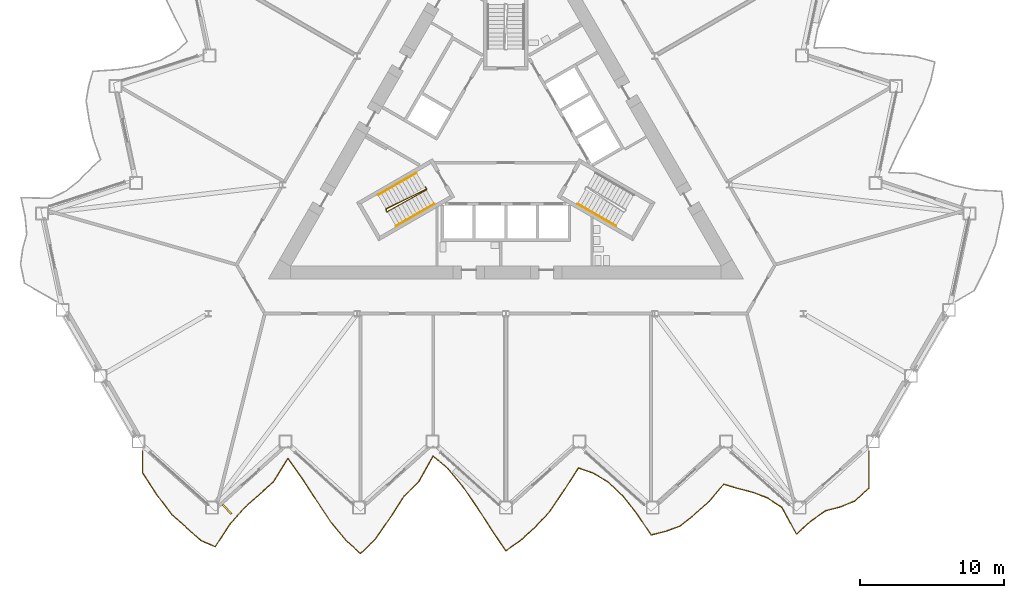
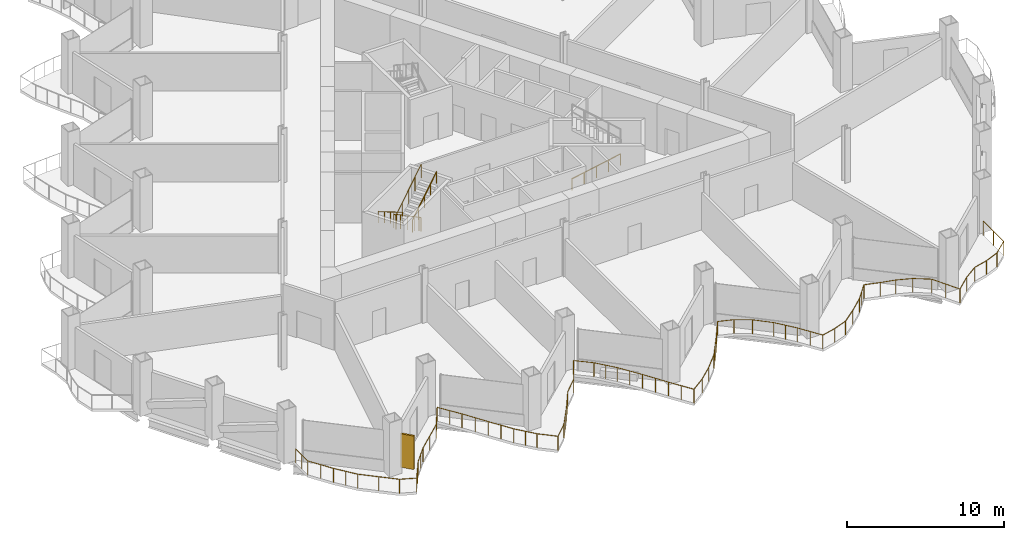
# One storey, part 17 of 21: 5 railings, 1 shading device.
"""IFC4 building model written with IfcOpenShell, lengths in metres."""

from ifc_helpers import new_model, si_unit, direction, frame, origin, origin_2d, place, context, subcontext, project, spatial, rectangle, circle, extrude, material, layer, layer_set, type_object, element, save


model = new_model("IFC4")

# Units and contexts
model_context = context("Model", 3, precision=1e-05, world=origin(), true_north=direction((0.0, 1.0)))
body_context = subcontext(model_context, "Body", "Model", "MODEL_VIEW")
ifc_project = project(units=[si_unit("LENGTHUNIT", "METRE"), si_unit("AREAUNIT", "SQUARE_METRE"), si_unit("VOLUMEUNIT", "CUBIC_METRE"), si_unit("PLANEANGLEUNIT", "RADIAN"), si_unit("MASSUNIT", "GRAM", prefix="KILO")], contexts=[model_context])

# Site, building, storey
site_placement = place(None, origin())
site = spatial("IfcSite", under=ifc_project, at=site_placement, CompositionType="ELEMENT")
building_placement = place(site_placement, origin())
building = spatial("IfcBuilding", under=site, at=building_placement, Name="Cormorant Prow Tower", CompositionType="ELEMENT")
storey_placement = place(building_placement, frame((0.0, 0.0, 129.0)))
storey = spatial("IfcBuildingStorey", under=building, at=storey_placement, Name="L27", CompositionType="ELEMENT", Elevation=129.0)

# Railings
ifc_material_1 = material(Name="Aluminium 6063-T6", Category="aluminium")
railing_type_1 = type_object("IfcRailingType", Name="Balcony guard 1100", PredefinedType="GUARDRAIL", material=ifc_material_1)
railing_1_placement = place(storey_placement, frame((-25.217041015625, -21.475830078125, 0.0)))
element("IfcRailing", 1, at=railing_1_placement, inside=storey, type_object=railing_type_1, Name="Balcony guard S", PredefinedType="GUARDRAIL", context=body_context, shape_type="SweptSolid", body=[
    extrude(circle(Radius=0.02392578125, at=origin_2d()), frame((0.0, 0.0, 1.076171875), z_axis=(0.0, -1.0, 0.0), x_axis=(1.0, 0.0, 0.0)), (0.0, 0.0, 1.0), 1.52001953125),
    extrude(circle(Radius=0.02392578125, at=origin_2d()), frame((0.0, -1.52001953125, 1.076171875), z_axis=(0.547099523328, -0.837067566911, 0.0), x_axis=(0.837067566911, 0.547099523328, 0.0)), (0.0, 0.0, 1.0), 1.843994140625),
    extrude(circle(Radius=0.02392578125, at=origin_2d()), frame((1.0087890625, -3.0634765625, 1.076171875), z_axis=(0.606251011859, -0.79527335591, 0.0), x_axis=(0.79527335591, 0.606251011859, 0.0)), (0.0, 0.0, 1.0), 1.66357421875),
    extrude(circle(Radius=0.02392578125, at=origin_2d()), frame((2.017333984375, -4.386474609375, 1.076171875), z_axis=(0.743186816138, -0.669083968063, 0.0), x_axis=(0.669083968063, 0.743186816138, 0.0)), (0.0, 0.0, 1.0), 1.357421875),
    extrude(circle(Radius=0.02392578125, at=origin_2d()), frame((3.026123046875, -5.294677734375, 1.076171875), z_axis=(0.743186816138, -0.669083968063, 0.0), x_axis=(0.669083968063, 0.743186816138, 0.0)), (0.0, 0.0, 1.0), 1.357421875),
    extrude(circle(Radius=0.02392578125, at=origin_2d()), frame((4.034912109375, -6.202880859375, 1.076171875), z_axis=(0.919340604259, -0.393462645444, 0.0), x_axis=(0.393462645444, 0.919340604259, 0.0)), (0.0, 0.0, 1.0), 1.096923828125),
    extrude(circle(Radius=0.02392578125, at=origin_2d()), frame((5.04345703125, -6.634521484375, 1.076171875), z_axis=(0.544923452511, 0.838485796483, 0.0), x_axis=(-0.838485796483, 0.544923452511, 0.0)), (0.0, 0.0, 1.0), 1.851318359375),
    extrude(circle(Radius=0.02392578125, at=origin_2d()), frame((6.05224609375, -5.082275390625, 1.076171875), z_axis=(0.663436281366, 0.748232785012, 0.0), x_axis=(-0.748232785012, 0.663436281366, 0.0)), (0.0, 0.0, 1.0), 1.520263671875),
    extrude(circle(Radius=0.02392578125, at=origin_2d()), frame((7.060791015625, -3.94482421875, 1.076171875), z_axis=(0.743186816138, 0.669083968063, 0.0), x_axis=(-0.669083968063, 0.743186816138, 0.0)), (0.0, 0.0, 1.0), 1.357421875),
    extrude(circle(Radius=0.02392578125, at=origin_2d()), frame((8.069580078125, -3.03662109375, 1.076171875), z_axis=(0.743106280888, 0.669173411983, 0.0), x_axis=(-0.669173411983, 0.743106280888, 0.0)), (0.0, 0.0, 1.0), 1.357177734375),
    extrude(circle(Radius=0.02392578125, at=origin_2d()), frame((9.078125, -2.12841796875, 1.076171875), z_axis=(0.526912034983, 0.849919824095, 0.0), x_axis=(-0.849919824095, 0.526912034983, 0.0)), (0.0, 0.0, 1.0), 1.91455078125),
    extrude(circle(Radius=0.02392578125, at=origin_2d()), frame((10.0869140625, -0.501220703125, 1.076171875), z_axis=(0.579803401982, -0.81475641455, 0.0), x_axis=(0.81475641455, 0.579803401982, 0.0)), (0.0, 0.0, 1.0), 1.739501953125),
    extrude(circle(Radius=0.02392578125, at=origin_2d()), frame((11.095458984375, -1.91845703125, 1.076171875), z_axis=(0.543240375594, -0.839577211651, 0.0), x_axis=(0.839577211651, 0.543240375594, 0.0)), (0.0, 0.0, 1.0), 1.85693359375),
    extrude(circle(Radius=0.02392578125, at=origin_2d()), frame((12.104248046875, -3.4775390625, 1.076171875), z_axis=(0.553031216413, -0.833160532955, 0.0), x_axis=(0.833160532955, 0.553031216413, 0.0)), (0.0, 0.0, 1.0), 1.82421875),
    extrude(circle(Radius=0.02392578125, at=origin_2d()), frame((13.113037109375, -4.997314453125, 1.076171875), z_axis=(0.64164991368, -0.766997645547, 0.0), x_axis=(0.766997645547, 0.64164991368, 0.0)), (0.0, 0.0, 1.0), 1.57177734375),
    extrude(circle(Radius=0.02392578125, at=origin_2d()), frame((14.12158203125, -6.202880859375, 1.076171875), z_axis=(0.743106280888, -0.669173411983, 0.0), x_axis=(0.669173411983, 0.743106280888, 0.0)), (0.0, 0.0, 1.0), 1.357177734375),
    extrude(circle(Radius=0.02392578125, at=origin_2d()), frame((15.130126953125, -7.111083984375, 1.076171875), z_axis=(0.716667354688, 0.697415158083, 0.0), x_axis=(-0.697415158083, 0.716667354688, 0.0)), (0.0, 0.0, 1.0), 1.40771484375),
    extrude(circle(Radius=0.02392578125, at=origin_2d()), frame((16.138916015625, -6.12939453125, 1.076171875), z_axis=(0.573713918438, 0.8190557611, 0.0), x_axis=(-0.8190557611, 0.573713918438, 0.0)), (0.0, 0.0, 1.0), 1.75830078125),
    extrude(circle(Radius=0.02392578125, at=origin_2d()), frame((17.147705078125, -4.689208984375, 1.076171875), z_axis=(0.542070080475, 0.840333283795, 0.0), x_axis=(-0.840333283795, 0.542070080475, 0.0)), (0.0, 0.0, 1.0), 1.860595703125),
    extrude(circle(Radius=0.02392578125, at=origin_2d()), frame((18.15625, -3.125732421875, 1.076171875), z_axis=(0.7111396923, 0.703050736459, 0.0), x_axis=(-0.703050736459, 0.7111396923, 0.0)), (0.0, 0.0, 1.0), 1.41845703125),
    extrude(circle(Radius=0.02392578125, at=origin_2d()), frame((19.1650390625, -2.12841796875, 1.076171875), z_axis=(0.491124609661, 0.871089328247, 0.0), x_axis=(-0.871089328247, 0.491124609661, 0.0)), (0.0, 0.0, 1.0), 2.053466796875),
    extrude(circle(Radius=0.02392578125, at=origin_2d()), frame((20.173583984375, -0.339599609375, 1.076171875), z_axis=(0.759866377248, -0.650079294185, 0.0), x_axis=(0.650079294185, 0.759866377248, 0.0)), (0.0, 0.0, 1.0), 1.32763671875),
    extrude(circle(Radius=0.02392578125, at=origin_2d()), frame((21.182373046875, -1.20263671875, 1.076171875), z_axis=(0.642506249311, -0.766280444483, 0.0), x_axis=(0.766280444483, 0.642506249311, 0.0)), (0.0, 0.0, 1.0), 1.570068359375),
    extrude(circle(Radius=0.02392578125, at=origin_2d()), frame((22.191162109375, -2.40576171875, 1.076171875), z_axis=(0.568051035315, -0.822993330032, 0.0), x_axis=(0.822993330032, 0.568051035315, 0.0)), (0.0, 0.0, 1.0), 1.775390625),
    extrude(circle(Radius=0.02392578125, at=origin_2d()), frame((23.19970703125, -3.866943359375, 1.076171875), z_axis=(0.54141320539, -0.840756647925, 0.0), x_axis=(0.840756647925, 0.54141320539, 0.0)), (0.0, 0.0, 1.0), 1.86279296875),
    extrude(circle(Radius=0.02392578125, at=origin_2d()), frame((24.208251953125, -5.43310546875, 1.076171875), z_axis=(0.561076309813, -0.827764081467, 0.0), x_axis=(0.827764081467, 0.561076309813, 0.0)), (0.0, 0.0, 1.0), 1.7978515625),
    extrude(circle(Radius=0.02392578125, at=origin_2d()), frame((25.217041015625, -6.92138671875, 1.076171875), z_axis=(0.814518561771, 0.580137494505, 0.0), x_axis=(-0.580137494505, 0.814518561771, 0.0)), (0.0, 0.0, 1.0), 1.238525390625),
    extrude(circle(Radius=0.02392578125, at=origin_2d()), frame((26.225830078125, -6.202880859375, 1.076171875), z_axis=(0.743106280888, 0.669173411983, 0.0), x_axis=(-0.669173411983, 0.743106280888, 0.0)), (0.0, 0.0, 1.0), 1.357177734375),
    extrude(circle(Radius=0.02392578125, at=origin_2d()), frame((27.234375, -5.294677734375, 1.076171875), z_axis=(0.683891565229, 0.729583666901, 0.0), x_axis=(-0.729583666901, 0.683891565229, 0.0)), (0.0, 0.0, 1.0), 1.474609375),
    extrude(circle(Radius=0.02392578125, at=origin_2d()), frame((28.242919921875, -4.21875, 1.076171875), z_axis=(0.563099997149, 0.826388766387, 0.0), x_axis=(-0.826388766387, 0.563099997149, 0.0)), (0.0, 0.0, 1.0), 1.79150390625),
    extrude(circle(Radius=0.02392578125, at=origin_2d()), frame((29.251708984375, -2.73828125, 1.076171875), z_axis=(0.54138653911, 0.84077381933, 0.0), x_axis=(-0.84077381933, 0.54138653911, 0.0)), (0.0, 0.0, 1.0), 1.86328125),
    extrude(circle(Radius=0.02392578125, at=origin_2d()), frame((30.260498046875, -1.171630859375, 1.076171875), z_axis=(0.945688798562, -0.325073370602, 0.0), x_axis=(0.325073370602, 0.945688798562, 0.0)), (0.0, 0.0, 1.0), 1.06640625),
    extrude(circle(Radius=0.02392578125, at=origin_2d()), frame((31.26904296875, -1.518310546875, 1.076171875), z_axis=(0.859889000311, -0.510481054638, 0.0), x_axis=(0.510481054638, 0.859889000311, 0.0)), (0.0, 0.0, 1.0), 1.173095703125),
    extrude(circle(Radius=0.02392578125, at=origin_2d()), frame((32.27783203125, -2.1171875, 1.076171875), z_axis=(0.732433442303, -0.680838639177, 0.0), x_axis=(0.680838639177, 0.732433442303, 0.0)), (0.0, 0.0, 1.0), 1.376953125),
    extrude(circle(Radius=0.02392578125, at=origin_2d()), frame((33.286376953125, -3.0546875, 1.076171875), z_axis=(0.622708149945, -0.782454190347, 0.0), x_axis=(0.782454190347, 0.622708149945, 0.0)), (0.0, 0.0, 1.0), 1.6201171875),
    extrude(circle(Radius=0.02392578125, at=origin_2d()), frame((34.295166015625, -4.322265625, 1.076171875), z_axis=(0.558625055194, -0.829420308233, 0.0), x_axis=(0.829420308233, 0.558625055194, 0.0)), (0.0, 0.0, 1.0), 1.805908203125),
    extrude(circle(Radius=0.02392578125, at=origin_2d()), frame((35.303955078125, -5.820068359375, 1.076171875), z_axis=(0.970294291632, 0.241927649572, 0.0), x_axis=(-0.241927649572, 0.970294291632, 0.0)), (0.0, 0.0, 1.0), 1.039306640625),
    extrude(circle(Radius=0.02392578125, at=origin_2d()), frame((36.3125, -5.568603515625, 1.076171875), z_axis=(0.93973363247, 0.341907443622, 0.0), x_axis=(-0.341907443622, 0.93973363247, 0.0)), (0.0, 0.0, 1.0), 1.0732421875),
    extrude(circle(Radius=0.02392578125, at=origin_2d()), frame((37.321044921875, -5.20166015625, 1.076171875), z_axis=(0.777792524199, 0.628521112851, 0.0), x_axis=(-0.628521112851, 0.777792524199, 0.0)), (0.0, 0.0, 1.0), 1.296875),
    extrude(circle(Radius=0.02392578125, at=origin_2d()), frame((38.329833984375, -4.386474609375, 1.076171875), z_axis=(0.743186816138, 0.669083968063, 0.0), x_axis=(-0.669083968063, 0.743186816138, 0.0)), (0.0, 0.0, 1.0), 1.357421875),
    extrude(circle(Radius=0.02392578125, at=origin_2d()), frame((39.338623046875, -3.478271484375, 1.076171875), z_axis=(0.649275684785, 0.760553144196, 0.0), x_axis=(-0.760553144196, 0.649275684785, 0.0)), (0.0, 0.0, 1.0), 1.55322265625),
    extrude(circle(Radius=0.02392578125, at=origin_2d()), frame((40.34716796875, -2.296875, 1.076171875), z_axis=(0.957736927182, -0.287645577598, 0.0), x_axis=(0.287645577598, 0.957736927182, 0.0)), (0.0, 0.0, 1.0), 1.05322265625),
    extrude(circle(Radius=0.02392578125, at=origin_2d()), frame((41.35595703125, -2.599853515625, 1.076171875), z_axis=(0.969462296979, -0.245240401923, 0.0), x_axis=(0.245240401923, 0.969462296979, 0.0)), (0.0, 0.0, 1.0), 1.040283203125),
    extrude(circle(Radius=0.02392578125, at=origin_2d()), frame((42.364501953125, -2.85498046875, 1.076171875), z_axis=(0.93306013523, -0.359720424836, 0.0), x_axis=(0.359720424836, 0.93306013523, 0.0)), (0.0, 0.0, 1.0), 1.0810546875),
    extrude(circle(Radius=0.02392578125, at=origin_2d()), frame((43.373291015625, -3.243896484375, 1.076171875), z_axis=(0.834280579949, -0.551340107301, 0.0), x_axis=(0.551340107301, 0.834280579949, 0.0)), (0.0, 0.0, 1.0), 1.208984375),
    extrude(circle(Radius=0.02392578125, at=origin_2d()), frame((44.3818359375, -3.910400390625, 1.076171875), z_axis=(0.478576200022, -0.87804602429, 0.0), x_axis=(0.87804602429, 0.478576200022, 0.0)), (0.0, 0.0, 1.0), 2.10791015625),
    extrude(circle(Radius=0.02392578125, at=origin_2d()), frame((45.390625, -5.76123046875, 1.076171875), z_axis=(0.743106280888, 0.669173411983, 0.0), x_axis=(-0.669173411983, 0.743106280888, 0.0)), (0.0, 0.0, 1.0), 1.357177734375),
    extrude(circle(Radius=0.02392578125, at=origin_2d()), frame((46.399169921875, -4.85302734375, 1.076171875), z_axis=(0.817965118336, 0.575267820398, 0.0), x_axis=(-0.575267820398, 0.817965118336, 0.0)), (0.0, 0.0, 1.0), 1.2333984375),
    extrude(circle(Radius=0.02392578125, at=origin_2d()), frame((47.407958984375, -4.1435546875, 1.076171875), z_axis=(0.968125364751, 0.250466121713, 0.0), x_axis=(-0.250466121713, 0.968125364751, 0.0)), (0.0, 0.0, 1.0), 1.0419921875),
    extrude(circle(Radius=0.02392578125, at=origin_2d()), frame((48.416748046875, -3.882568359375, 1.076171875), z_axis=(0.925543387254, 0.378641569707, 0.0), x_axis=(-0.378641569707, 0.925543387254, 0.0)), (0.0, 0.0, 1.0), 1.089599609375),
    extrude(circle(Radius=0.02392578125, at=origin_2d()), frame((49.42529296875, -3.469970703125, 1.076171875), z_axis=(0.746232390688, 0.665685525672, 0.0), x_axis=(-0.665685525672, 0.746232390688, 0.0)), (0.0, 0.0, 1.0), 1.351806640625),
    extrude(circle(Radius=0.02392578125, at=origin_2d()), frame((50.43408203125, -2.570068359375, 1.076171875), z_axis=(0.0, 1.0, 0.0), x_axis=(-1.0, 0.0, 0.0)), (0.0, 0.0, 1.0), 2.570068359375),
    extrude(circle(Radius=0.02099609375, at=origin_2d()), origin(), (0.0, 0.0, 1.0), 1.052001953125),
    extrude(circle(Radius=0.02099609375, at=origin_2d()), frame((0.0, -0.760009765625, 0.0)), (0.0, 0.0, 1.0), 1.052001953125),
    extrude(circle(Radius=0.02099609375, at=origin_2d()), frame((0.0, -1.52001953125, 0.0)), (0.0, 0.0, 1.0), 1.052001953125),
    extrude(circle(Radius=0.02099609375, at=origin_2d()), frame((0.50439453125, -2.291748046875, 0.0)), (0.0, 0.0, 1.0), 1.052001953125),
    extrude(circle(Radius=0.02099609375, at=origin_2d()), frame((1.0087890625, -3.0634765625, 0.0)), (0.0, 0.0, 1.0), 1.052001953125),
    extrude(circle(Radius=0.02099609375, at=origin_2d()), frame((1.51318359375, -3.72509765625, 0.0)), (0.0, 0.0, 1.0), 1.052001953125),
    extrude(circle(Radius=0.02099609375, at=origin_2d()), frame((2.017333984375, -4.386474609375, 0.0)), (0.0, 0.0, 1.0), 1.052001953125),
    extrude(circle(Radius=0.02099609375, at=origin_2d()), frame((3.026123046875, -5.294677734375, 0.0)), (0.0, 0.0, 1.0), 1.052001953125),
    extrude(circle(Radius=0.02099609375, at=origin_2d()), frame((4.034912109375, -6.202880859375, 0.0)), (0.0, 0.0, 1.0), 1.052001953125),
    extrude(circle(Radius=0.02099609375, at=origin_2d()), frame((5.04345703125, -6.634521484375, 0.0)), (0.0, 0.0, 1.0), 1.052001953125),
    extrude(circle(Radius=0.02099609375, at=origin_2d()), frame((5.5478515625, -5.8583984375, 0.0)), (0.0, 0.0, 1.0), 1.052001953125),
    extrude(circle(Radius=0.02099609375, at=origin_2d()), frame((6.05224609375, -5.082275390625, 0.0)), (0.0, 0.0, 1.0), 1.052001953125),
    extrude(circle(Radius=0.02099609375, at=origin_2d()), frame((6.556640625, -4.513671875, 0.0)), (0.0, 0.0, 1.0), 1.052001953125),
    extrude(circle(Radius=0.02099609375, at=origin_2d()), frame((7.060791015625, -3.94482421875, 0.0)), (0.0, 0.0, 1.0), 1.052001953125),
    extrude(circle(Radius=0.02099609375, at=origin_2d()), frame((8.069580078125, -3.03662109375, 0.0)), (0.0, 0.0, 1.0), 1.052001953125),
    extrude(circle(Radius=0.02099609375, at=origin_2d()), frame((9.078125, -2.12841796875, 0.0)), (0.0, 0.0, 1.0), 1.052001953125),
    extrude(circle(Radius=0.02099609375, at=origin_2d()), frame((9.58251953125, -1.31494140625, 0.0)), (0.0, 0.0, 1.0), 1.052001953125),
    extrude(circle(Radius=0.02099609375, at=origin_2d()), frame((10.0869140625, -0.501220703125, 0.0)), (0.0, 0.0, 1.0), 1.052001953125),
    extrude(circle(Radius=0.02099609375, at=origin_2d()), frame((10.59130859375, -1.2099609375, 0.0)), (0.0, 0.0, 1.0), 1.052001953125),
    extrude(circle(Radius=0.02099609375, at=origin_2d()), frame((11.095458984375, -1.91845703125, 0.0)), (0.0, 0.0, 1.0), 1.052001953125),
    extrude(circle(Radius=0.02099609375, at=origin_2d()), frame((11.599853515625, -2.697998046875, 0.0)), (0.0, 0.0, 1.0), 1.052001953125),
    extrude(circle(Radius=0.02099609375, at=origin_2d()), frame((12.104248046875, -3.4775390625, 0.0)), (0.0, 0.0, 1.0), 1.052001953125),
    extrude(circle(Radius=0.02099609375, at=origin_2d()), frame((12.608642578125, -4.2373046875, 0.0)), (0.0, 0.0, 1.0), 1.052001953125),
    extrude(circle(Radius=0.02099609375, at=origin_2d()), frame((13.113037109375, -4.997314453125, 0.0)), (0.0, 0.0, 1.0), 1.052001953125),
    extrude(circle(Radius=0.02099609375, at=origin_2d()), frame((13.6171875, -5.60009765625, 0.0)), (0.0, 0.0, 1.0), 1.052001953125),
    extrude(circle(Radius=0.02099609375, at=origin_2d()), frame((14.12158203125, -6.202880859375, 0.0)), (0.0, 0.0, 1.0), 1.052001953125),
    extrude(circle(Radius=0.02099609375, at=origin_2d()), frame((15.130126953125, -7.111083984375, 0.0)), (0.0, 0.0, 1.0), 1.052001953125),
    extrude(circle(Radius=0.02099609375, at=origin_2d()), frame((16.138916015625, -6.12939453125, 0.0)), (0.0, 0.0, 1.0), 1.052001953125),
    extrude(circle(Radius=0.02099609375, at=origin_2d()), frame((16.643310546875, -5.4091796875, 0.0)), (0.0, 0.0, 1.0), 1.052001953125),
    extrude(circle(Radius=0.02099609375, at=origin_2d()), frame((17.147705078125, -4.689208984375, 0.0)), (0.0, 0.0, 1.0), 1.052001953125),
    extrude(circle(Radius=0.02099609375, at=origin_2d()), frame((17.65185546875, -3.907470703125, 0.0)), (0.0, 0.0, 1.0), 1.052001953125),
    extrude(circle(Radius=0.02099609375, at=origin_2d()), frame((18.15625, -3.125732421875, 0.0)), (0.0, 0.0, 1.0), 1.052001953125),
    extrude(circle(Radius=0.02099609375, at=origin_2d()), frame((19.1650390625, -2.12841796875, 0.0)), (0.0, 0.0, 1.0), 1.052001953125),
    extrude(circle(Radius=0.02099609375, at=origin_2d()), frame((19.66943359375, -1.23388671875, 0.0)), (0.0, 0.0, 1.0), 1.052001953125),
    extrude(circle(Radius=0.02099609375, at=origin_2d()), frame((20.173583984375, -0.339599609375, 0.0)), (0.0, 0.0, 1.0), 1.052001953125),
    extrude(circle(Radius=0.02099609375, at=origin_2d()), frame((21.182373046875, -1.20263671875, 0.0)), (0.0, 0.0, 1.0), 1.052001953125),
    extrude(circle(Radius=0.02099609375, at=origin_2d()), frame((21.686767578125, -1.80419921875, 0.0)), (0.0, 0.0, 1.0), 1.052001953125),
    extrude(circle(Radius=0.02099609375, at=origin_2d()), frame((22.191162109375, -2.40576171875, 0.0)), (0.0, 0.0, 1.0), 1.052001953125),
    extrude(circle(Radius=0.02099609375, at=origin_2d()), frame((22.6953125, -3.13623046875, 0.0)), (0.0, 0.0, 1.0), 1.052001953125),
    extrude(circle(Radius=0.02099609375, at=origin_2d()), frame((23.19970703125, -3.866943359375, 0.0)), (0.0, 0.0, 1.0), 1.052001953125),
    extrude(circle(Radius=0.02099609375, at=origin_2d()), frame((23.7041015625, -4.64990234375, 0.0)), (0.0, 0.0, 1.0), 1.052001953125),
    extrude(circle(Radius=0.02099609375, at=origin_2d()), frame((24.208251953125, -5.43310546875, 0.0)), (0.0, 0.0, 1.0), 1.052001953125),
    extrude(circle(Radius=0.02099609375, at=origin_2d()), frame((24.712646484375, -6.17724609375, 0.0)), (0.0, 0.0, 1.0), 1.052001953125),
    extrude(circle(Radius=0.02099609375, at=origin_2d()), frame((25.217041015625, -6.92138671875, 0.0)), (0.0, 0.0, 1.0), 1.052001953125),
    extrude(circle(Radius=0.02099609375, at=origin_2d()), frame((26.225830078125, -6.202880859375, 0.0)), (0.0, 0.0, 1.0), 1.052001953125),
    extrude(circle(Radius=0.02099609375, at=origin_2d()), frame((27.234375, -5.294677734375, 0.0)), (0.0, 0.0, 1.0), 1.052001953125),
    extrude(circle(Radius=0.02099609375, at=origin_2d()), frame((28.242919921875, -4.21875, 0.0)), (0.0, 0.0, 1.0), 1.052001953125),
    extrude(circle(Radius=0.02099609375, at=origin_2d()), frame((28.747314453125, -3.478515625, 0.0)), (0.0, 0.0, 1.0), 1.052001953125),
    extrude(circle(Radius=0.02099609375, at=origin_2d()), frame((29.251708984375, -2.73828125, 0.0)), (0.0, 0.0, 1.0), 1.052001953125),
    extrude(circle(Radius=0.02099609375, at=origin_2d()), frame((29.756103515625, -1.955078125, 0.0)), (0.0, 0.0, 1.0), 1.052001953125),
    extrude(circle(Radius=0.02099609375, at=origin_2d()), frame((30.260498046875, -1.171630859375, 0.0)), (0.0, 0.0, 1.0), 1.052001953125),
    extrude(circle(Radius=0.02099609375, at=origin_2d()), frame((31.26904296875, -1.518310546875, 0.0)), (0.0, 0.0, 1.0), 1.052001953125),
    extrude(circle(Radius=0.02099609375, at=origin_2d()), frame((32.27783203125, -2.1171875, 0.0)), (0.0, 0.0, 1.0), 1.052001953125),
    extrude(circle(Radius=0.02099609375, at=origin_2d()), frame((33.286376953125, -3.0546875, 0.0)), (0.0, 0.0, 1.0), 1.052001953125),
    extrude(circle(Radius=0.02099609375, at=origin_2d()), frame((33.790771484375, -3.6884765625, 0.0)), (0.0, 0.0, 1.0), 1.052001953125),
    extrude(circle(Radius=0.02099609375, at=origin_2d()), frame((34.295166015625, -4.322265625, 0.0)), (0.0, 0.0, 1.0), 1.052001953125),
    extrude(circle(Radius=0.02099609375, at=origin_2d()), frame((34.799560546875, -5.0712890625, 0.0)), (0.0, 0.0, 1.0), 1.052001953125),
    extrude(circle(Radius=0.02099609375, at=origin_2d()), frame((35.303955078125, -5.820068359375, 0.0)), (0.0, 0.0, 1.0), 1.052001953125),
    extrude(circle(Radius=0.02099609375, at=origin_2d()), frame((36.3125, -5.568603515625, 0.0)), (0.0, 0.0, 1.0), 1.052001953125),
    extrude(circle(Radius=0.02099609375, at=origin_2d()), frame((37.321044921875, -5.20166015625, 0.0)), (0.0, 0.0, 1.0), 1.052001953125),
    extrude(circle(Radius=0.02099609375, at=origin_2d()), frame((38.329833984375, -4.386474609375, 0.0)), (0.0, 0.0, 1.0), 1.052001953125),
    extrude(circle(Radius=0.02099609375, at=origin_2d()), frame((39.338623046875, -3.478271484375, 0.0)), (0.0, 0.0, 1.0), 1.052001953125),
    extrude(circle(Radius=0.02099609375, at=origin_2d()), frame((39.8427734375, -2.8876953125, 0.0)), (0.0, 0.0, 1.0), 1.052001953125),
    extrude(circle(Radius=0.02099609375, at=origin_2d()), frame((40.34716796875, -2.296875, 0.0)), (0.0, 0.0, 1.0), 1.052001953125),
    extrude(circle(Radius=0.02099609375, at=origin_2d()), frame((41.35595703125, -2.599853515625, 0.0)), (0.0, 0.0, 1.0), 1.052001953125),
    extrude(circle(Radius=0.02099609375, at=origin_2d()), frame((42.364501953125, -2.85498046875, 0.0)), (0.0, 0.0, 1.0), 1.052001953125),
    extrude(circle(Radius=0.02099609375, at=origin_2d()), frame((43.373291015625, -3.243896484375, 0.0)), (0.0, 0.0, 1.0), 1.052001953125),
    extrude(circle(Radius=0.02099609375, at=origin_2d()), frame((44.3818359375, -3.910400390625, 0.0)), (0.0, 0.0, 1.0), 1.052001953125),
    extrude(circle(Radius=0.02099609375, at=origin_2d()), frame((44.88623046875, -4.8359375, 0.0)), (0.0, 0.0, 1.0), 1.052001953125),
    extrude(circle(Radius=0.02099609375, at=origin_2d()), frame((45.390625, -5.76123046875, 0.0)), (0.0, 0.0, 1.0), 1.052001953125),
    extrude(circle(Radius=0.02099609375, at=origin_2d()), frame((46.399169921875, -4.85302734375, 0.0)), (0.0, 0.0, 1.0), 1.052001953125),
    extrude(circle(Radius=0.02099609375, at=origin_2d()), frame((47.407958984375, -4.1435546875, 0.0)), (0.0, 0.0, 1.0), 1.052001953125),
    extrude(circle(Radius=0.02099609375, at=origin_2d()), frame((48.416748046875, -3.882568359375, 0.0)), (0.0, 0.0, 1.0), 1.052001953125),
    extrude(circle(Radius=0.02099609375, at=origin_2d()), frame((49.42529296875, -3.469970703125, 0.0)), (0.0, 0.0, 1.0), 1.052001953125),
    extrude(circle(Radius=0.02099609375, at=origin_2d()), frame((50.43408203125, -2.570068359375, 0.0)), (0.0, 0.0, 1.0), 1.052001953125),
    extrude(circle(Radius=0.02099609375, at=origin_2d()), frame((50.43408203125, -1.28515625, 0.0)), (0.0, 0.0, 1.0), 1.052001953125),
    extrude(circle(Radius=0.02099609375, at=origin_2d()), frame((50.43408203125, 0.0, 0.0)), (0.0, 0.0, 1.0), 1.052001953125),
])
ifc_material_2 = material(Name="Stainless steel", Category="steel")
railing_type_2 = type_object("IfcRailingType", Name="Stair guard 1100", PredefinedType="GUARDRAIL", material=ifc_material_2)
railing_2_placement = place(storey_placement, frame((-5.585205078125, -3.137939453125, 0.0)))
element("IfcRailing", 2, at=railing_2_placement, inside=storey, type_object=railing_type_2, Name="L27 ST1 stair guard 1", PredefinedType="GUARDRAIL", context=body_context, shape_type="SweptSolid", body=[
    extrude(circle(Radius=0.02392578125, at=origin_2d()), frame((0.0, 0.0, 1.076171875), z_axis=(0.501036270542, -0.865426285481, 0.0), x_axis=(0.865426285481, 0.501036270542, 0.0)), (0.0, 0.0, 1.0), 0.150146484375),
    extrude(circle(Radius=0.02392578125, at=origin_2d()), frame((0.0751953125, -0.1298828125, 1.076171875), z_axis=(-0.744644002882, -0.368732342607, 0.556364780057), x_axis=(0.443754251299, -0.896148516963, 0.0)), (0.0, 0.0, 1.0), 3.774658203125),
    extrude(circle(Radius=0.02392578125, at=origin_2d()), frame((-2.735595703125, -1.521728515625, 3.17626953125), z_axis=(0.274721127897, -0.961523947641, 0.0), x_axis=(0.961523947641, 0.274721127897, 0.0)), (0.0, 0.0, 1.0), 0.2060546875),
    extrude(circle(Radius=0.02392578125, at=origin_2d()), frame((-2.678955078125, -1.719970703125, 3.17626953125), z_axis=(0.725764528363, 0.403684660475, 0.557049857973), x_axis=(-0.486086505765, 0.873910698477, 0.0)), (0.0, 0.0, 1.0), 3.76953125),
    extrude(circle(Radius=0.02099609375, at=origin_2d()), origin(), (0.0, 0.0, 1.0), 1.052001953125),
    extrude(circle(Radius=0.02099609375, at=origin_2d()), frame((0.0751953125, -0.1298828125, 0.0)), (0.0, 0.0, 1.0), 1.052001953125),
    extrude(circle(Radius=0.02099609375, at=origin_2d()), frame((-0.62744140625, -0.477783203125, 0.52490234375)), (0.0, 0.0, 1.0), 1.052001953125),
    extrude(circle(Radius=0.02099609375, at=origin_2d()), frame((-1.330078125, -0.82568359375, 1.050048828125)), (0.0, 0.0, 1.0), 1.052001953125),
    extrude(circle(Radius=0.02099609375, at=origin_2d()), frame((-2.032958984375, -1.173828125, 1.5751953125)), (0.0, 0.0, 1.0), 1.052001953125),
    extrude(circle(Radius=0.02099609375, at=origin_2d()), frame((-2.735595703125, -1.521728515625, 2.10009765625)), (0.0, 0.0, 1.0), 1.052001953125),
    extrude(circle(Radius=0.02099609375, at=origin_2d()), frame((-2.678955078125, -1.719970703125, 2.10009765625)), (0.0, 0.0, 1.0), 1.052001953125),
    extrude(circle(Radius=0.02099609375, at=origin_2d()), frame((-1.9951171875, -1.339599609375, 2.625)), (0.0, 0.0, 1.0), 1.052001953125),
    extrude(circle(Radius=0.02099609375, at=origin_2d()), frame((-1.31103515625, -0.958984375, 3.14990234375)), (0.0, 0.0, 1.0), 1.052001953125),
    extrude(circle(Radius=0.02099609375, at=origin_2d()), frame((-0.626953125, -0.57861328125, 3.675048828125)), (0.0, 0.0, 1.0), 1.052001953125),
    extrude(circle(Radius=0.02099609375, at=origin_2d()), frame((0.056884765625, -0.1982421875, 4.199951171875)), (0.0, 0.0, 1.0), 1.052001953125),
])
ifc_material_3 = material(Name="Stainless steel", Category="steel")
railing_type_3 = type_object("IfcRailingType", Name="Stair handrail 900", PredefinedType="HANDRAIL", material=ifc_material_3)
railing_3_placement = place(storey_placement, frame((-6.212890625, -2.150634765625, 0.175048828125)))
element("IfcRailing", 3, at=railing_3_placement, inside=storey, type_object=railing_type_3, Name="L27 ST1 stair handrail 1", PredefinedType="HANDRAIL", context=body_context, shape_type="SweptSolid", body=[
    extrude(circle(Radius=0.02392578125, at=origin_2d()), frame((0.0, 0.0, 0.8759765625), z_axis=(-0.734394994316, -0.423994474112, 0.52999309264), x_axis=(0.499992328818, -0.866029832698, 0.0)), (0.0, 0.0, 1.0), 3.63232421875),
    extrude(circle(Radius=0.02099609375, at=origin_2d()), origin(), (0.0, 0.0, 1.0), 0.851806640625),
    extrude(circle(Radius=0.02099609375, at=origin_2d()), frame((-0.6669921875, -0.385009765625, 0.481201171875)), (0.0, 0.0, 1.0), 0.851806640625),
    extrude(circle(Radius=0.02099609375, at=origin_2d()), frame((-1.333740234375, -0.77001953125, 0.96240234375)), (0.0, 0.0, 1.0), 0.851806640625),
    extrude(circle(Radius=0.02099609375, at=origin_2d()), frame((-2.00048828125, -1.155029296875, 1.44384765625)), (0.0, 0.0, 1.0), 0.851806640625),
    extrude(circle(Radius=0.02099609375, at=origin_2d()), frame((-2.66748046875, -1.5400390625, 1.925048828125)), (0.0, 0.0, 1.0), 0.851806640625),
])
railing_4_placement = place(storey_placement, frame((-7.63623046875, -5.84521484375, 2.27490234375)))
element("IfcRailing", 4, at=railing_4_placement, inside=storey, type_object=railing_type_3, Name="L27 ST1 stair handrail 2", PredefinedType="HANDRAIL", context=body_context, shape_type="SweptSolid", body=[
    extrude(circle(Radius=0.02392578125, at=origin_2d()), frame((0.0, 0.0, 0.8759765625), z_axis=(0.734364028329, 0.424015404183, 0.530019255228), x_axis=(-0.500026652407, 0.866010015463, 0.0)), (0.0, 0.0, 1.0), 3.632080078125),
    extrude(circle(Radius=0.02099609375, at=origin_2d()), origin(), (0.0, 0.0, 1.0), 0.851806640625),
    extrude(circle(Radius=0.02099609375, at=origin_2d()), frame((0.666748046875, 0.385009765625, 0.481201171875)), (0.0, 0.0, 1.0), 0.851806640625),
    extrude(circle(Radius=0.02099609375, at=origin_2d()), frame((1.33349609375, 0.77001953125, 0.96240234375)), (0.0, 0.0, 1.0), 0.851806640625),
    extrude(circle(Radius=0.02099609375, at=origin_2d()), frame((2.00048828125, 1.155029296875, 1.44384765625)), (0.0, 0.0, 1.0), 0.851806640625),
    extrude(circle(Radius=0.02099609375, at=origin_2d()), frame((2.667236328125, 1.5400390625, 1.925048828125)), (0.0, 0.0, 1.0), 0.851806640625),
])
railing_5_placement = place(storey_placement, frame((4.968994140625, -4.30517578125, 0.175048828125)))
element("IfcRailing", 5, at=railing_5_placement, inside=storey, type_object=railing_type_3, Name="L27 ST2 stair handrail 1", PredefinedType="HANDRAIL", context=body_context, shape_type="SweptSolid", body=[
    extrude(circle(Radius=0.02392578125, at=origin_2d()), frame((0.0, 0.0, 0.8759765625), z_axis=(0.734364028329, -0.424015404183, 0.530019255228), x_axis=(0.500026652407, 0.866010015463, 0.0)), (0.0, 0.0, 1.0), 3.632080078125),
    extrude(circle(Radius=0.02099609375, at=origin_2d()), origin(), (0.0, 0.0, 1.0), 0.851806640625),
    extrude(circle(Radius=0.02099609375, at=origin_2d()), frame((0.666748046875, -0.385009765625, 0.481201171875)), (0.0, 0.0, 1.0), 0.851806640625),
    extrude(circle(Radius=0.02099609375, at=origin_2d()), frame((1.33349609375, -0.77001953125, 0.96240234375)), (0.0, 0.0, 1.0), 0.851806640625),
    extrude(circle(Radius=0.02099609375, at=origin_2d()), frame((2.00048828125, -1.155029296875, 1.44384765625)), (0.0, 0.0, 1.0), 0.851806640625),
    extrude(circle(Radius=0.02099609375, at=origin_2d()), frame((2.667236328125, -1.5400390625, 1.925048828125)), (0.0, 0.0, 1.0), 0.851806640625),
])

# Shading device
ifc_material_4 = material(Name="Terracotta", Category="masonry")
ifc_layer = layer(ifc_material_4, 0.1201171875)
ifc_layer_set = layer_set([ifc_layer], Name="Terracotta")
shading_device_type = type_object("IfcShadingDeviceType", Name="Terracotta baguette fin 120x900x2600", PredefinedType="USERDEFINED", material=ifc_layer_set)
shading_device_placement = place(storey_placement, frame((-19.355224609375, -25.505615234375, 0.0), z_axis=(0.0, 0.0, 1.0), x_axis=(0.743144807376, 0.669130626463, 0.0)))
element("IfcShadingDevice", 6, at=shading_device_placement, inside=storey, type_object=shading_device_type, Name="Baguette fin S01", ObjectType="BAGUETTE", PredefinedType="USERDEFINED", context=body_context, shape_type="SweptSolid", body=[
    extrude(rectangle(XDim=0.1201171875, YDim=0.89990234375, at=origin_2d()), origin(), (0.0, 0.0, 1.0), 2.60009765625),
])

save(model, "model.ifc")
